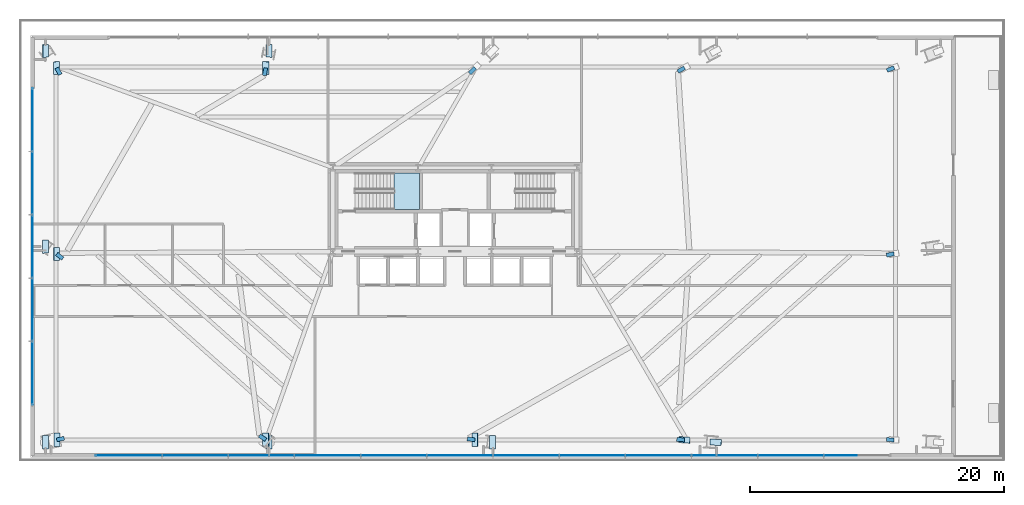
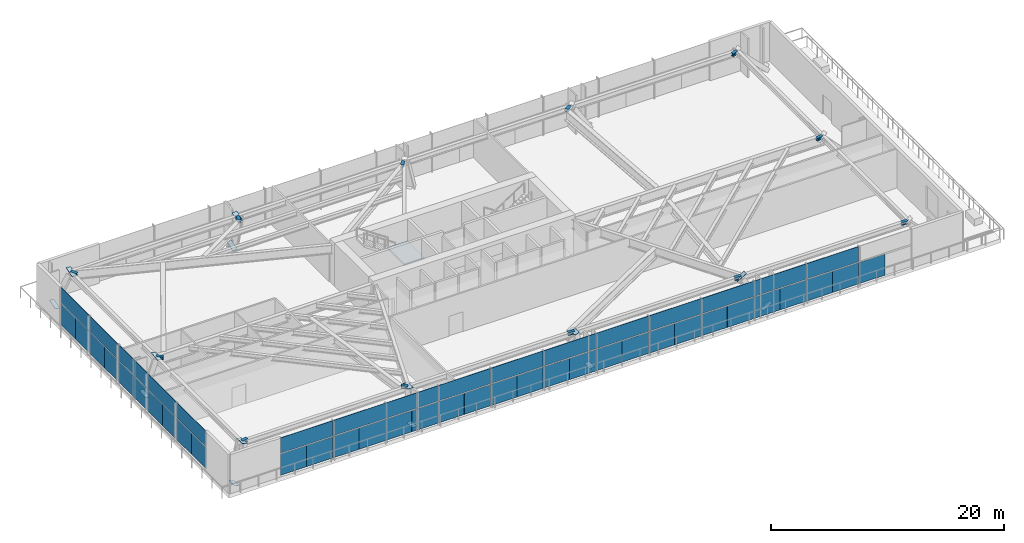
# One storey, part 22 of 33: 63 plates, 12 beams, 1 slab, 3 elements without a shape of their own.
"""IFC4 building model written with IfcOpenShell, lengths in metres."""

from ifc_helpers import new_model, si_unit, direction, frame, origin, origin_2d, place, context, subcontext, project, spatial, polyline, rectangle, i_section, outline, extrude, source, transform, mapped, material, layer, layer_set, material_profile, profile_set, type_object, type_shapes, element, aggregate, save


model = new_model("IFC4")

# Units and contexts
model_context = context("Model", 3, precision=1e-05, world=origin(), true_north=direction((0.0, 1.0)))
body_context = subcontext(model_context, "Body", "Model", "MODEL_VIEW")
ifc_project = project(units=[si_unit("LENGTHUNIT", "METRE"), si_unit("AREAUNIT", "SQUARE_METRE"), si_unit("VOLUMEUNIT", "CUBIC_METRE"), si_unit("PLANEANGLEUNIT", "RADIAN"), si_unit("MASSUNIT", "GRAM", prefix="KILO")], contexts=[model_context])

# Site, building, storey
site_placement = place(None, origin())
site = spatial("IfcSite", under=ifc_project, at=site_placement, CompositionType="ELEMENT")
building_placement = place(site_placement, origin())
building = spatial("IfcBuilding", under=site, at=building_placement, Name="Astriad Promenade Condominiums", CompositionType="ELEMENT")
storey_placement = place(building_placement, frame((0.0, 0.0, 9.5)))
storey = spatial("IfcBuildingStorey", under=building, at=storey_placement, Name="L02", CompositionType="ELEMENT", Elevation=9.5)

# Beams
ifc_material_1 = material(Name="Steel ASTM A992 Grade 50", Category="steel")
ifc_material_profile = material_profile(ifc_material_1, i_section(OverallWidth=0.3046875, OverallDepth=0.307861328125, WebThickness=0.010009765625, FlangeThickness=0.015380859375, FilletRadius=0.01513671875, at=origin_2d()), Name="W12X65")
ifc_profile_set = profile_set([ifc_material_profile], Name="Steel ASTM A992 Grade 50")
beam_type = type_object("IfcBeamType", Name="STEEL TRANSFER SPLICE HEADER W12X65", PredefinedType="LINTEL", material=ifc_profile_set)
shared_shape_1 = source(origin(), body_context, "Body", "SweptSolid", [
    extrude(i_section(OverallWidth=0.3046875, OverallDepth=0.307861328125, WebThickness=0.010009765625, FlangeThickness=0.015380859375, FilletRadius=0.01513671875, at=origin_2d()), origin(), (0.0, 0.0, 1.0), 0.6015625),
])
for number, where, z_axis, x_axis, name in (
    (1, (4.666748046875, 2.576904296875, 3.926025390625), (0.975407231569, 0.220410373176, 0.0), (-0.220410373176, 0.975407231569, 0.0), "Column Transfer Splice Header SPL-PC01-L02"),
    (2, (21.116943359375, 2.57861328125, 3.926025390625), (-0.829229622799, 0.558908071755, 0.0), (-0.558908071755, -0.829229622799, 0.0), "Column Transfer Splice Header SPL-PC02-L02"),
    (3, (37.58056640625, 2.57568359375, 3.926025390625), (-0.991319801898, 0.13147262211, 0.0), (-0.13147262211, -0.991319801898, 0.0), "Column Transfer Splice Header SPL-PC03-L02"),
    (4, (4.6591796875, 31.8525390625, 3.926025390625), (0.487020687899, -0.873390433631, 0.0), (0.873390433631, 0.487020687899, 0.0), "Column Transfer Splice Header SPL-PC06-L02"),
    (5, (37.588623046875, 31.857421875, 3.926025390625), (-0.682549549065, -0.730839320967, 0.0), (0.730839320967, -0.682549549065, 0.0), "Column Transfer Splice Header SPL-PC08-L02"),
    (6, (54.07568359375, 31.868408203125, 3.926025390625), (-0.8595985228, -0.510970037869, 0.0), (0.510970037869, -0.8595985228, 0.0), "Column Transfer Splice Header SPL-PC09-L02"),
    (7, (70.57470703125, 31.876953125, 3.926025390625), (-0.92502236555, -0.379912652108, 0.0), (0.379912652108, -0.92502236555, 0.0), "Column Transfer Splice Header SPL-PC10-L02"),
    (8, (4.6650390625, 17.2099609375, 3.926025390625), (0.787359384968, -0.616494281323, 0.0), (0.616494281323, 0.787359384968, 0.0), "Column Transfer Splice Header SPL-PC11-L02"),
):
    element("IfcBeam", number, at=place(storey_placement, frame(where, z_axis=z_axis, x_axis=x_axis)), inside=storey, type_object=beam_type, Name=name, PredefinedType="LINTEL", context=body_context, shape_type="MappedRepresentation", body=[
        mapped(shared_shape_1, transform((0.0, 0.0, 0.0), scale=1.0)),
    ])
shared_shape_2 = source(origin(), body_context, "Body", "SweptSolid", [
    extrude(i_section(OverallWidth=0.3046875, OverallDepth=0.307861328125, WebThickness=0.010009765625, FlangeThickness=0.015380859375, FilletRadius=0.01513671875, at=origin_2d()), origin(), (0.0, 0.0, 1.0), 0.601806640625),
])
beam_placement = place(storey_placement, frame((54.069091796875, 2.573486328125, 3.926025390625), z_axis=(-0.997269968056, 0.073841795845, 0.0), x_axis=(-0.073841795845, -0.997269968056, 0.0)))
element("IfcBeam", 9, at=beam_placement, inside=storey, type_object=beam_type, Name="Column Transfer Splice Header SPL-PC04-L02", PredefinedType="LINTEL", context=body_context, shape_type="MappedRepresentation", body=[
    mapped(shared_shape_2, transform((0.0, 0.0, 0.0), scale=1.0)),
])
shared_shape_3 = source(origin(), body_context, "Body", "SweptSolid", [
    extrude(i_section(OverallWidth=0.3046875, OverallDepth=0.307861328125, WebThickness=0.010009765625, FlangeThickness=0.015380859375, FilletRadius=0.01513671875, at=origin_2d()), origin(), (0.0, 0.0, 1.0), 0.601318359375),
])
type_shapes(beam_type, [shared_shape_1, shared_shape_2, shared_shape_3])
for number, where, z_axis, x_axis, name in (
    (10, (70.570068359375, 2.572021484375, 3.926025390625), (-0.998690856067, 0.051152458481, 0.0), (-0.051152458481, -0.998690856067, 0.0), "Column Transfer Splice Header SPL-PC05-L02"),
    (11, (21.12060546875, 31.848876953125, 3.926025390625), (-0.183920818406, -0.982941062606, 0.0), (0.982941062606, -0.183920818406, 0.0), "Column Transfer Splice Header SPL-PC07-L02"),
    (12, (70.57080078125, 17.223876953125, 3.926025390625), (-0.984135153245, -0.177420405102, 0.0), (0.177420405102, -0.984135153245, 0.0), "Column Transfer Splice Header SPL-PC12-L02"),
):
    element("IfcBeam", number, at=place(storey_placement, frame(where, z_axis=z_axis, x_axis=x_axis)), inside=storey, type_object=beam_type, Name=name, PredefinedType="LINTEL", context=body_context, shape_type="MappedRepresentation", body=[
        mapped(shared_shape_3, transform((0.0, 0.0, 0.0), scale=1.0)),
    ])

# Stair, slab
ifc_material_2 = material(Name="Concrete C50/60", Category="concrete")
stair_type = type_object("IfcStairType", Name="STR-CORE-1350", PredefinedType="HALF_TURN_STAIR", material=ifc_material_2)
stair_placement = place(storey_placement, origin())
stair = element("IfcStair", 13, at=stair_placement, inside=storey, type_object=stair_type, Name="L02 Enclosed Core Exit Stair ST-1", PredefinedType="HALF_TURN_STAIR")
ifc_layer_1 = layer(ifc_material_2, 0.219970703125)
ifc_layer_set_1 = layer_set([ifc_layer_1], Name="Concrete C50/60")
slab_type = type_object("IfcSlabType", Name="SLB-LANDING-220", PredefinedType="LANDING", material=ifc_layer_set_1)
slab_placement = place(storey_placement, frame((0.0, 0.0, 2.050048828125)))
slab = element("IfcSlab", 14, at=slab_placement, type_object=slab_type, Name="ST-1 landing 1", PredefinedType="LANDING", context=body_context, shape_type="SweptSolid", body=[
    extrude(outline(polyline([(31.22998046875, 20.699951171875), (33.199951171875, 20.699951171875), (33.199951171875, 23.60009765625), (31.22998046875, 23.60009765625), (31.22998046875, 20.699951171875)])), origin(), (0.0, 0.0, 1.0), 0.199951171875),
])
aggregate(stair, [slab])

# Plates
ifc_material_3 = material(Name="Steel ASTM A572 Grade 50", Category="steel")
ifc_layer_2 = layer(ifc_material_3, 0.02490234375)
ifc_layer_set_2 = layer_set([ifc_layer_2], Name="Steel ASTM A572 Grade 50")
plate_type_1 = type_object("IfcPlateType", Name="STEEL HOLLOW SECTION END CAP PLATE 30", PredefinedType="USERDEFINED", material=ifc_layer_set_2)
shared_shape_4 = source(origin(), body_context, "Body", "SweptSolid", [
    extrude(rectangle(XDim=0.477294921875, YDim=1.05126953125, at=origin_2d()), origin(), (0.0, 0.0, 1.0), 0.02490234375),
])
type_shapes(plate_type_1, [shared_shape_4])
for number, where, z_axis, x_axis, name in (
    (15, (3.787841796875, 2.3818359375, 0.035888671875), (0.215153855979, 0.047790070995, 0.975410132904), (1.0, 0.0, 0.0), "Hollow Section End Cap Plate COL-PC01-L02-A"),
    (16, (4.666748046875, 2.5771484375, 4.019775390625), (0.215153855979, 0.047790070995, 0.975410132904), (1.0, 0.0, 0.0), "Hollow Section End Cap Plate COL-PC01-L02-B"),
    (17, (21.3896484375, 2.38037109375, 0.005126953125), (-0.067186661976, 0.048840488982, 0.996544308643), (1.0, 0.0, 0.0), "Hollow Section End Cap Plate COL-PC02-L02-A"),
    (18, (21.116943359375, 2.57861328125, 4.0498046875), (-0.067186661976, 0.048840488982, 0.996544308643), (1.0, 0.0, 0.0), "Hollow Section End Cap Plate COL-PC02-L02-B"),
    (19, (38.977783203125, 2.383056640625, 0.062255859375), (-0.334513142045, 0.046143066006, 0.941260737128), (1.0, 0.0, 0.0), "Hollow Section End Cap Plate COL-PC03-L02-A"),
    (20, (37.58056640625, 2.575927734375, 3.994384765625), (-0.334513142045, 0.046143066006, 0.941260737128), (1.0, 0.0, 0.0), "Hollow Section End Cap Plate COL-PC03-L02-B"),
    (21, (56.53955078125, 2.385498046875, 0.109619140625), (-0.540618905809, 0.041190011985, 0.840258639703), (-0.075970292138, -0.997110081542, 0.0), "Hollow Section End Cap Plate COL-PC04-L02-A"),
    (22, (54.069091796875, 2.57373046875, 3.949462890625), (-0.540618905809, 0.041190011985, 0.840258639703), (-0.075970292138, -0.997110081542, 0.0), "Hollow Section End Cap Plate COL-PC04-L02-B"),
    (23, (3.7958984375, 33.1953125, 0.071533203125), (0.204234615999, -0.317703578998, 0.925933397994), (1.0, 0.0, 0.0), "Hollow Section End Cap Plate COL-PC06-L02-A"),
    (24, (4.6591796875, 31.852294921875, 3.985595703125), (0.204234615999, -0.317703578998, 0.925933397994), (1.0, 0.0, 0.0), "Hollow Section End Cap Plate COL-PC06-L02-B"),
    (25, (21.3857421875, 33.19921875, 0.060791015625), (-0.063612142029, -0.323900671146, 0.943950131425), (1.0, 0.0, 0.0), "Hollow Section End Cap Plate COL-PC07-L02-A"),
    (26, (21.12060546875, 31.84912109375, 3.995849609375), (-0.063612142029, -0.323900671146, 0.943950131425), (1.0, 0.0, 0.0), "Hollow Section End Cap Plate COL-PC07-L02-B"),
    (27, (3.78955078125, 17.79345703125, 0.0439453125), (0.213222255045, -0.14214817003, 0.966607556204), (1.0, 0.0, 0.0), "Hollow Section End Cap Plate COL-PC11-L02-A"),
    (28, (4.6650390625, 17.2099609375, 4.01220703125), (0.213222255045, -0.14214817003, 0.966607556204), (1.0, 0.0, 0.0), "Hollow Section End Cap Plate COL-PC11-L02-B"),
):
    element("IfcPlate", number, at=place(storey_placement, frame(where, z_axis=z_axis, x_axis=x_axis)), inside=storey, type_object=plate_type_1, Name=name, ObjectType="STIFFENER_PLATE", PredefinedType="USERDEFINED", context=body_context, shape_type="MappedRepresentation", body=[
        mapped(shared_shape_4, transform((0.0, 0.0, 0.0), scale=1.0)),
    ])

# Curtain wall, plates
ifc_material_4 = material(Name="Anodised aluminium Black Dark Glass Unitised", Category="aluminium")
curtain_wall_type = type_object("IfcCurtainWallType", Name="CW-POD-DARK", PredefinedType="USERDEFINED", material=ifc_material_4)
curtain_wall_1_placement = place(storey_placement, origin())
curtain_wall_1 = element("IfcCurtainWall", 29, at=curtain_wall_1_placement, inside=storey, type_object=curtain_wall_type, Name="CW-L02-W", ObjectType="UNITISED_CURTAIN_WALL", PredefinedType="USERDEFINED")
ifc_material_5 = material(Name="Dark Tinted Low-E Laminated Glass", Category="glass")
ifc_layer_3 = layer(ifc_material_5, 0.035888671875)
ifc_layer_set_3 = layer_set([ifc_layer_3], Name="Dark Tinted Low-E Laminated Glass")
plate_type_2 = type_object("IfcPlateType", Name="PNL-DARK-GLASS-36", PredefinedType="CURTAIN_PANEL", material=ifc_layer_set_3)
shared_shape_5 = source(origin(), body_context, "Body", "SweptSolid", [
    extrude(rectangle(XDim=2.47802734375, YDim=0.035888671875, at=origin_2d()), origin(), (0.0, 0.0, 1.0), 2.22998046875),
])
plate_1_placement = place(storey_placement, frame((2.75, 6.594970703125, 0.080078125), z_axis=(0.0, 0.0, 1.0), x_axis=(0.0, 1.0, 0.0)))
plate_1 = element("IfcPlate", 30, at=plate_1_placement, type_object=plate_type_2, Name="CW-L02-W-PNL-00-VL", PredefinedType="CURTAIN_PANEL", context=body_context, shape_type="MappedRepresentation", body=[
    mapped(shared_shape_5, transform((0.0, 0.0, 0.0), scale=1.0)),
])
plate_2_placement = place(storey_placement, frame((2.75, 9.0849609375, 0.080078125), z_axis=(0.0, 0.0, 1.0), x_axis=(0.0, 1.0, 0.0)))
plate_2 = element("IfcPlate", 31, at=plate_2_placement, type_object=plate_type_2, Name="CW-L02-W-PNL-00-VR", PredefinedType="CURTAIN_PANEL", context=body_context, shape_type="MappedRepresentation", body=[
    mapped(shared_shape_5, transform((0.0, 0.0, 0.0), scale=1.0)),
])
plate_3_placement = place(storey_placement, frame((2.75, 11.574951171875, 0.080078125), z_axis=(0.0, 0.0, 1.0), x_axis=(0.0, 1.0, 0.0)))
plate_3 = element("IfcPlate", 32, at=plate_3_placement, type_object=plate_type_2, Name="CW-L02-W-PNL-01-VL", PredefinedType="CURTAIN_PANEL", context=body_context, shape_type="MappedRepresentation", body=[
    mapped(shared_shape_5, transform((0.0, 0.0, 0.0), scale=1.0)),
])
plate_4_placement = place(storey_placement, frame((2.75, 14.06494140625, 0.080078125), z_axis=(0.0, 0.0, 1.0), x_axis=(0.0, 1.0, 0.0)))
plate_4 = element("IfcPlate", 33, at=plate_4_placement, type_object=plate_type_2, Name="CW-L02-W-PNL-01-VR", PredefinedType="CURTAIN_PANEL", context=body_context, shape_type="MappedRepresentation", body=[
    mapped(shared_shape_5, transform((0.0, 0.0, 0.0), scale=1.0)),
])
plate_5_placement = place(storey_placement, frame((2.75, 16.554931640625, 0.080078125), z_axis=(0.0, 0.0, 1.0), x_axis=(0.0, 1.0, 0.0)))
plate_5 = element("IfcPlate", 34, at=plate_5_placement, type_object=plate_type_2, Name="CW-L02-W-PNL-02-VL", PredefinedType="CURTAIN_PANEL", context=body_context, shape_type="MappedRepresentation", body=[
    mapped(shared_shape_5, transform((0.0, 0.0, 0.0), scale=1.0)),
])
plate_6_placement = place(storey_placement, frame((2.75, 19.044921875, 0.080078125), z_axis=(0.0, 0.0, 1.0), x_axis=(0.0, 1.0, 0.0)))
plate_6 = element("IfcPlate", 35, at=plate_6_placement, type_object=plate_type_2, Name="CW-L02-W-PNL-02-VR", PredefinedType="CURTAIN_PANEL", context=body_context, shape_type="MappedRepresentation", body=[
    mapped(shared_shape_5, transform((0.0, 0.0, 0.0), scale=1.0)),
])
plate_7_placement = place(storey_placement, frame((2.75, 21.534912109375, 0.080078125), z_axis=(0.0, 0.0, 1.0), x_axis=(0.0, 1.0, 0.0)))
plate_7 = element("IfcPlate", 36, at=plate_7_placement, type_object=plate_type_2, Name="CW-L02-W-PNL-03-VL", PredefinedType="CURTAIN_PANEL", context=body_context, shape_type="MappedRepresentation", body=[
    mapped(shared_shape_5, transform((0.0, 0.0, 0.0), scale=1.0)),
])
plate_8_placement = place(storey_placement, frame((2.75, 24.02490234375, 0.080078125), z_axis=(0.0, 0.0, 1.0), x_axis=(0.0, 1.0, 0.0)))
plate_8 = element("IfcPlate", 37, at=plate_8_placement, type_object=plate_type_2, Name="CW-L02-W-PNL-03-VR", PredefinedType="CURTAIN_PANEL", context=body_context, shape_type="MappedRepresentation", body=[
    mapped(shared_shape_5, transform((0.0, 0.0, 0.0), scale=1.0)),
])
plate_9_placement = place(storey_placement, frame((2.75, 26.514892578125, 0.080078125), z_axis=(0.0, 0.0, 1.0), x_axis=(0.0, 1.0, 0.0)))
plate_9 = element("IfcPlate", 38, at=plate_9_placement, type_object=plate_type_2, Name="CW-L02-W-PNL-04-VL", PredefinedType="CURTAIN_PANEL", context=body_context, shape_type="MappedRepresentation", body=[
    mapped(shared_shape_5, transform((0.0, 0.0, 0.0), scale=1.0)),
])
plate_10_placement = place(storey_placement, frame((2.75, 29.0048828125, 0.080078125), z_axis=(0.0, 0.0, 1.0), x_axis=(0.0, 1.0, 0.0)))
plate_10 = element("IfcPlate", 39, at=plate_10_placement, type_object=plate_type_2, Name="CW-L02-W-PNL-04-VR", PredefinedType="CURTAIN_PANEL", context=body_context, shape_type="MappedRepresentation", body=[
    mapped(shared_shape_5, transform((0.0, 0.0, 0.0), scale=1.0)),
])
shared_shape_6 = source(origin(), body_context, "Body", "SweptSolid", [
    extrude(rectangle(XDim=4.968017578125, YDim=0.035888671875, at=origin_2d()), origin(), (0.0, 0.0, 1.0), 1.610107421875),
])
plate_11_placement = place(storey_placement, frame((2.75, 7.840087890625, 2.39013671875), z_axis=(0.0, 0.0, 1.0), x_axis=(0.0, 1.0, 0.0)))
plate_11 = element("IfcPlate", 40, at=plate_11_placement, type_object=plate_type_2, Name="CW-L02-W-PNL-00-S", PredefinedType="CURTAIN_PANEL", context=body_context, shape_type="MappedRepresentation", body=[
    mapped(shared_shape_6, transform((0.0, 0.0, 0.0), scale=1.0)),
])
plate_12_placement = place(storey_placement, frame((2.75, 12.820068359375, 2.39013671875), z_axis=(0.0, 0.0, 1.0), x_axis=(0.0, 1.0, 0.0)))
plate_12 = element("IfcPlate", 41, at=plate_12_placement, type_object=plate_type_2, Name="CW-L02-W-PNL-01-S", PredefinedType="CURTAIN_PANEL", context=body_context, shape_type="MappedRepresentation", body=[
    mapped(shared_shape_6, transform((0.0, 0.0, 0.0), scale=1.0)),
])
plate_13_placement = place(storey_placement, frame((2.75, 17.800048828125, 2.39013671875), z_axis=(0.0, 0.0, 1.0), x_axis=(0.0, 1.0, 0.0)))
plate_13 = element("IfcPlate", 42, at=plate_13_placement, type_object=plate_type_2, Name="CW-L02-W-PNL-02-S", PredefinedType="CURTAIN_PANEL", context=body_context, shape_type="MappedRepresentation", body=[
    mapped(shared_shape_6, transform((0.0, 0.0, 0.0), scale=1.0)),
])
plate_14_placement = place(storey_placement, frame((2.75, 22.780029296875, 2.39013671875), z_axis=(0.0, 0.0, 1.0), x_axis=(0.0, 1.0, 0.0)))
plate_14 = element("IfcPlate", 43, at=plate_14_placement, type_object=plate_type_2, Name="CW-L02-W-PNL-03-S", PredefinedType="CURTAIN_PANEL", context=body_context, shape_type="MappedRepresentation", body=[
    mapped(shared_shape_6, transform((0.0, 0.0, 0.0), scale=1.0)),
])
plate_15_placement = place(storey_placement, frame((2.75, 27.760009765625, 2.39013671875), z_axis=(0.0, 0.0, 1.0), x_axis=(0.0, 1.0, 0.0)))
plate_15 = element("IfcPlate", 44, at=plate_15_placement, type_object=plate_type_2, Name="CW-L02-W-PNL-04-S", PredefinedType="CURTAIN_PANEL", context=body_context, shape_type="MappedRepresentation", body=[
    mapped(shared_shape_6, transform((0.0, 0.0, 0.0), scale=1.0)),
])
aggregate(curtain_wall_1, [plate_1, plate_2, plate_11, plate_3, plate_4, plate_12, plate_5, plate_6, plate_13, plate_7, plate_8, plate_14, plate_9, plate_10, plate_15])

curtain_wall_2_placement = place(storey_placement, origin())
curtain_wall_2 = element("IfcCurtainWall", 45, at=curtain_wall_2_placement, inside=storey, type_object=curtain_wall_type, Name="CW-L02-S", ObjectType="UNITISED_CURTAIN_WALL", PredefinedType="USERDEFINED")
shared_shape_7 = source(origin(), body_context, "Body", "SweptSolid", [
    extrude(rectangle(XDim=2.59228515625, YDim=0.035888671875, at=origin_2d()), origin(), (0.0, 0.0, 1.0), 2.22998046875),
])
plate_16_placement = place(storey_placement, frame((66.34375, 1.35009765625, 0.080078125), z_axis=(0.0, 0.0, 1.0), x_axis=(-1.0, 0.0, 0.0)))
plate_16 = element("IfcPlate", 46, at=plate_16_placement, type_object=plate_type_2, Name="CW-L02-S-PNL-00-VR", PredefinedType="CURTAIN_PANEL", context=body_context, shape_type="MappedRepresentation", body=[
    mapped(shared_shape_7, transform((0.0, 0.0, 0.0), scale=1.0)),
])
plate_17_placement = place(storey_placement, frame((63.739501953125, 1.35009765625, 0.080078125), z_axis=(0.0, 0.0, 1.0), x_axis=(-1.0, 0.0, 0.0)))
plate_17 = element("IfcPlate", 47, at=plate_17_placement, type_object=plate_type_2, Name="CW-L02-S-PNL-01-VL", PredefinedType="CURTAIN_PANEL", context=body_context, shape_type="MappedRepresentation", body=[
    mapped(shared_shape_7, transform((0.0, 0.0, 0.0), scale=1.0)),
])
plate_18_placement = place(storey_placement, frame((61.135498046875, 1.35009765625, 0.080078125), z_axis=(0.0, 0.0, 1.0), x_axis=(-1.0, 0.0, 0.0)))
plate_18 = element("IfcPlate", 48, at=plate_18_placement, type_object=plate_type_2, Name="CW-L02-S-PNL-01-VR", PredefinedType="CURTAIN_PANEL", context=body_context, shape_type="MappedRepresentation", body=[
    mapped(shared_shape_7, transform((0.0, 0.0, 0.0), scale=1.0)),
])
plate_19_placement = place(storey_placement, frame((58.53125, 1.35009765625, 0.080078125), z_axis=(0.0, 0.0, 1.0), x_axis=(-1.0, 0.0, 0.0)))
plate_19 = element("IfcPlate", 49, at=plate_19_placement, type_object=plate_type_2, Name="CW-L02-S-PNL-02-VL", PredefinedType="CURTAIN_PANEL", context=body_context, shape_type="MappedRepresentation", body=[
    mapped(shared_shape_7, transform((0.0, 0.0, 0.0), scale=1.0)),
])
plate_20_placement = place(storey_placement, frame((55.927001953125, 1.35009765625, 0.080078125), z_axis=(0.0, 0.0, 1.0), x_axis=(-1.0, 0.0, 0.0)))
plate_20 = element("IfcPlate", 50, at=plate_20_placement, type_object=plate_type_2, Name="CW-L02-S-PNL-02-VR", PredefinedType="CURTAIN_PANEL", context=body_context, shape_type="MappedRepresentation", body=[
    mapped(shared_shape_7, transform((0.0, 0.0, 0.0), scale=1.0)),
])
plate_21_placement = place(storey_placement, frame((53.322998046875, 1.35009765625, 0.080078125), z_axis=(0.0, 0.0, 1.0), x_axis=(-1.0, 0.0, 0.0)))
plate_21 = element("IfcPlate", 51, at=plate_21_placement, type_object=plate_type_2, Name="CW-L02-S-PNL-03-VL", PredefinedType="CURTAIN_PANEL", context=body_context, shape_type="MappedRepresentation", body=[
    mapped(shared_shape_7, transform((0.0, 0.0, 0.0), scale=1.0)),
])
plate_22_placement = place(storey_placement, frame((50.71875, 1.35009765625, 0.080078125), z_axis=(0.0, 0.0, 1.0), x_axis=(-1.0, 0.0, 0.0)))
plate_22 = element("IfcPlate", 52, at=plate_22_placement, type_object=plate_type_2, Name="CW-L02-S-PNL-03-VR", PredefinedType="CURTAIN_PANEL", context=body_context, shape_type="MappedRepresentation", body=[
    mapped(shared_shape_7, transform((0.0, 0.0, 0.0), scale=1.0)),
])
plate_23_placement = place(storey_placement, frame((48.114501953125, 1.35009765625, 0.080078125), z_axis=(0.0, 0.0, 1.0), x_axis=(-1.0, 0.0, 0.0)))
plate_23 = element("IfcPlate", 53, at=plate_23_placement, type_object=plate_type_2, Name="CW-L02-S-PNL-04-VL", PredefinedType="CURTAIN_PANEL", context=body_context, shape_type="MappedRepresentation", body=[
    mapped(shared_shape_7, transform((0.0, 0.0, 0.0), scale=1.0)),
])
plate_24_placement = place(storey_placement, frame((45.510498046875, 1.35009765625, 0.080078125), z_axis=(0.0, 0.0, 1.0), x_axis=(-1.0, 0.0, 0.0)))
plate_24 = element("IfcPlate", 54, at=plate_24_placement, type_object=plate_type_2, Name="CW-L02-S-PNL-04-VR", PredefinedType="CURTAIN_PANEL", context=body_context, shape_type="MappedRepresentation", body=[
    mapped(shared_shape_7, transform((0.0, 0.0, 0.0), scale=1.0)),
])
plate_25_placement = place(storey_placement, frame((42.90625, 1.35009765625, 0.080078125), z_axis=(0.0, 0.0, 1.0), x_axis=(-1.0, 0.0, 0.0)))
plate_25 = element("IfcPlate", 55, at=plate_25_placement, type_object=plate_type_2, Name="CW-L02-S-PNL-05-VL", PredefinedType="CURTAIN_PANEL", context=body_context, shape_type="MappedRepresentation", body=[
    mapped(shared_shape_7, transform((0.0, 0.0, 0.0), scale=1.0)),
])
plate_26_placement = place(storey_placement, frame((40.302001953125, 1.35009765625, 0.080078125), z_axis=(0.0, 0.0, 1.0), x_axis=(-1.0, 0.0, 0.0)))
plate_26 = element("IfcPlate", 56, at=plate_26_placement, type_object=plate_type_2, Name="CW-L02-S-PNL-05-VR", PredefinedType="CURTAIN_PANEL", context=body_context, shape_type="MappedRepresentation", body=[
    mapped(shared_shape_7, transform((0.0, 0.0, 0.0), scale=1.0)),
])
plate_27_placement = place(storey_placement, frame((37.697998046875, 1.35009765625, 0.080078125), z_axis=(0.0, 0.0, 1.0), x_axis=(-1.0, 0.0, 0.0)))
plate_27 = element("IfcPlate", 57, at=plate_27_placement, type_object=plate_type_2, Name="CW-L02-S-PNL-06-VL", PredefinedType="CURTAIN_PANEL", context=body_context, shape_type="MappedRepresentation", body=[
    mapped(shared_shape_7, transform((0.0, 0.0, 0.0), scale=1.0)),
])
plate_28_placement = place(storey_placement, frame((35.09375, 1.35009765625, 0.080078125), z_axis=(0.0, 0.0, 1.0), x_axis=(-1.0, 0.0, 0.0)))
plate_28 = element("IfcPlate", 58, at=plate_28_placement, type_object=plate_type_2, Name="CW-L02-S-PNL-06-VR", PredefinedType="CURTAIN_PANEL", context=body_context, shape_type="MappedRepresentation", body=[
    mapped(shared_shape_7, transform((0.0, 0.0, 0.0), scale=1.0)),
])
plate_29_placement = place(storey_placement, frame((32.489501953125, 1.35009765625, 0.080078125), z_axis=(0.0, 0.0, 1.0), x_axis=(-1.0, 0.0, 0.0)))
plate_29 = element("IfcPlate", 59, at=plate_29_placement, type_object=plate_type_2, Name="CW-L02-S-PNL-07-VL", PredefinedType="CURTAIN_PANEL", context=body_context, shape_type="MappedRepresentation", body=[
    mapped(shared_shape_7, transform((0.0, 0.0, 0.0), scale=1.0)),
])
plate_30_placement = place(storey_placement, frame((29.885498046875, 1.35009765625, 0.080078125), z_axis=(0.0, 0.0, 1.0), x_axis=(-1.0, 0.0, 0.0)))
plate_30 = element("IfcPlate", 60, at=plate_30_placement, type_object=plate_type_2, Name="CW-L02-S-PNL-07-VR", PredefinedType="CURTAIN_PANEL", context=body_context, shape_type="MappedRepresentation", body=[
    mapped(shared_shape_7, transform((0.0, 0.0, 0.0), scale=1.0)),
])
plate_31_placement = place(storey_placement, frame((27.28125, 1.35009765625, 0.080078125), z_axis=(0.0, 0.0, 1.0), x_axis=(-1.0, 0.0, 0.0)))
plate_31 = element("IfcPlate", 61, at=plate_31_placement, type_object=plate_type_2, Name="CW-L02-S-PNL-08-VL", PredefinedType="CURTAIN_PANEL", context=body_context, shape_type="MappedRepresentation", body=[
    mapped(shared_shape_7, transform((0.0, 0.0, 0.0), scale=1.0)),
])
plate_32_placement = place(storey_placement, frame((24.677001953125, 1.35009765625, 0.080078125), z_axis=(0.0, 0.0, 1.0), x_axis=(-1.0, 0.0, 0.0)))
plate_32 = element("IfcPlate", 62, at=plate_32_placement, type_object=plate_type_2, Name="CW-L02-S-PNL-08-VR", PredefinedType="CURTAIN_PANEL", context=body_context, shape_type="MappedRepresentation", body=[
    mapped(shared_shape_7, transform((0.0, 0.0, 0.0), scale=1.0)),
])
plate_33_placement = place(storey_placement, frame((22.072998046875, 1.35009765625, 0.080078125), z_axis=(0.0, 0.0, 1.0), x_axis=(-1.0, 0.0, 0.0)))
plate_33 = element("IfcPlate", 63, at=plate_33_placement, type_object=plate_type_2, Name="CW-L02-S-PNL-09-VL", PredefinedType="CURTAIN_PANEL", context=body_context, shape_type="MappedRepresentation", body=[
    mapped(shared_shape_7, transform((0.0, 0.0, 0.0), scale=1.0)),
])
plate_34_placement = place(storey_placement, frame((19.46875, 1.35009765625, 0.080078125), z_axis=(0.0, 0.0, 1.0), x_axis=(-1.0, 0.0, 0.0)))
plate_34 = element("IfcPlate", 64, at=plate_34_placement, type_object=plate_type_2, Name="CW-L02-S-PNL-09-VR", PredefinedType="CURTAIN_PANEL", context=body_context, shape_type="MappedRepresentation", body=[
    mapped(shared_shape_7, transform((0.0, 0.0, 0.0), scale=1.0)),
])
plate_35_placement = place(storey_placement, frame((16.864501953125, 1.35009765625, 0.080078125), z_axis=(0.0, 0.0, 1.0), x_axis=(-1.0, 0.0, 0.0)))
plate_35 = element("IfcPlate", 65, at=plate_35_placement, type_object=plate_type_2, Name="CW-L02-S-PNL-10-VL", PredefinedType="CURTAIN_PANEL", context=body_context, shape_type="MappedRepresentation", body=[
    mapped(shared_shape_7, transform((0.0, 0.0, 0.0), scale=1.0)),
])
plate_36_placement = place(storey_placement, frame((14.260498046875, 1.35009765625, 0.080078125), z_axis=(0.0, 0.0, 1.0), x_axis=(-1.0, 0.0, 0.0)))
plate_36 = element("IfcPlate", 66, at=plate_36_placement, type_object=plate_type_2, Name="CW-L02-S-PNL-10-VR", PredefinedType="CURTAIN_PANEL", context=body_context, shape_type="MappedRepresentation", body=[
    mapped(shared_shape_7, transform((0.0, 0.0, 0.0), scale=1.0)),
])
plate_37_placement = place(storey_placement, frame((11.65625, 1.35009765625, 0.080078125), z_axis=(0.0, 0.0, 1.0), x_axis=(-1.0, 0.0, 0.0)))
plate_37 = element("IfcPlate", 67, at=plate_37_placement, type_object=plate_type_2, Name="CW-L02-S-PNL-11-VL", PredefinedType="CURTAIN_PANEL", context=body_context, shape_type="MappedRepresentation", body=[
    mapped(shared_shape_7, transform((0.0, 0.0, 0.0), scale=1.0)),
])
plate_38_placement = place(storey_placement, frame((9.052001953125, 1.35009765625, 0.080078125), z_axis=(0.0, 0.0, 1.0), x_axis=(-1.0, 0.0, 0.0)))
plate_38 = element("IfcPlate", 68, at=plate_38_placement, type_object=plate_type_2, Name="CW-L02-S-PNL-11-VR", PredefinedType="CURTAIN_PANEL", context=body_context, shape_type="MappedRepresentation", body=[
    mapped(shared_shape_7, transform((0.0, 0.0, 0.0), scale=1.0)),
])
shared_shape_8 = source(origin(), body_context, "Body", "SweptSolid", [
    extrude(rectangle(XDim=5.1962890625, YDim=0.035888671875, at=origin_2d()), origin(), (0.0, 0.0, 1.0), 1.610107421875),
])
type_shapes(plate_type_2, [shared_shape_5, shared_shape_6, shared_shape_7, shared_shape_8])
plate_39_placement = place(storey_placement, frame((62.4375, 1.35009765625, 2.39013671875), z_axis=(0.0, 0.0, 1.0), x_axis=(-1.0, 0.0, 0.0)))
plate_39 = element("IfcPlate", 69, at=plate_39_placement, type_object=plate_type_2, Name="CW-L02-S-PNL-01-S", PredefinedType="CURTAIN_PANEL", context=body_context, shape_type="MappedRepresentation", body=[
    mapped(shared_shape_8, transform((0.0, 0.0, 0.0), scale=1.0)),
])
plate_40_placement = place(storey_placement, frame((57.229248046875, 1.35009765625, 2.39013671875), z_axis=(0.0, 0.0, 1.0), x_axis=(-1.0, 0.0, 0.0)))
plate_40 = element("IfcPlate", 70, at=plate_40_placement, type_object=plate_type_2, Name="CW-L02-S-PNL-02-S", PredefinedType="CURTAIN_PANEL", context=body_context, shape_type="MappedRepresentation", body=[
    mapped(shared_shape_8, transform((0.0, 0.0, 0.0), scale=1.0)),
])
plate_41_placement = place(storey_placement, frame((52.020751953125, 1.35009765625, 2.39013671875), z_axis=(0.0, 0.0, 1.0), x_axis=(-1.0, 0.0, 0.0)))
plate_41 = element("IfcPlate", 71, at=plate_41_placement, type_object=plate_type_2, Name="CW-L02-S-PNL-03-S", PredefinedType="CURTAIN_PANEL", context=body_context, shape_type="MappedRepresentation", body=[
    mapped(shared_shape_8, transform((0.0, 0.0, 0.0), scale=1.0)),
])
plate_42_placement = place(storey_placement, frame((46.8125, 1.35009765625, 2.39013671875), z_axis=(0.0, 0.0, 1.0), x_axis=(-1.0, 0.0, 0.0)))
plate_42 = element("IfcPlate", 72, at=plate_42_placement, type_object=plate_type_2, Name="CW-L02-S-PNL-04-S", PredefinedType="CURTAIN_PANEL", context=body_context, shape_type="MappedRepresentation", body=[
    mapped(shared_shape_8, transform((0.0, 0.0, 0.0), scale=1.0)),
])
plate_43_placement = place(storey_placement, frame((41.604248046875, 1.35009765625, 2.39013671875), z_axis=(0.0, 0.0, 1.0), x_axis=(-1.0, 0.0, 0.0)))
plate_43 = element("IfcPlate", 73, at=plate_43_placement, type_object=plate_type_2, Name="CW-L02-S-PNL-05-S", PredefinedType="CURTAIN_PANEL", context=body_context, shape_type="MappedRepresentation", body=[
    mapped(shared_shape_8, transform((0.0, 0.0, 0.0), scale=1.0)),
])
plate_44_placement = place(storey_placement, frame((36.395751953125, 1.35009765625, 2.39013671875), z_axis=(0.0, 0.0, 1.0), x_axis=(-1.0, 0.0, 0.0)))
plate_44 = element("IfcPlate", 74, at=plate_44_placement, type_object=plate_type_2, Name="CW-L02-S-PNL-06-S", PredefinedType="CURTAIN_PANEL", context=body_context, shape_type="MappedRepresentation", body=[
    mapped(shared_shape_8, transform((0.0, 0.0, 0.0), scale=1.0)),
])
plate_45_placement = place(storey_placement, frame((31.1875, 1.35009765625, 2.39013671875), z_axis=(0.0, 0.0, 1.0), x_axis=(-1.0, 0.0, 0.0)))
plate_45 = element("IfcPlate", 75, at=plate_45_placement, type_object=plate_type_2, Name="CW-L02-S-PNL-07-S", PredefinedType="CURTAIN_PANEL", context=body_context, shape_type="MappedRepresentation", body=[
    mapped(shared_shape_8, transform((0.0, 0.0, 0.0), scale=1.0)),
])
plate_46_placement = place(storey_placement, frame((25.979248046875, 1.35009765625, 2.39013671875), z_axis=(0.0, 0.0, 1.0), x_axis=(-1.0, 0.0, 0.0)))
plate_46 = element("IfcPlate", 76, at=plate_46_placement, type_object=plate_type_2, Name="CW-L02-S-PNL-08-S", PredefinedType="CURTAIN_PANEL", context=body_context, shape_type="MappedRepresentation", body=[
    mapped(shared_shape_8, transform((0.0, 0.0, 0.0), scale=1.0)),
])
plate_47_placement = place(storey_placement, frame((20.770751953125, 1.35009765625, 2.39013671875), z_axis=(0.0, 0.0, 1.0), x_axis=(-1.0, 0.0, 0.0)))
plate_47 = element("IfcPlate", 77, at=plate_47_placement, type_object=plate_type_2, Name="CW-L02-S-PNL-09-S", PredefinedType="CURTAIN_PANEL", context=body_context, shape_type="MappedRepresentation", body=[
    mapped(shared_shape_8, transform((0.0, 0.0, 0.0), scale=1.0)),
])
plate_48_placement = place(storey_placement, frame((15.5625, 1.35009765625, 2.39013671875), z_axis=(0.0, 0.0, 1.0), x_axis=(-1.0, 0.0, 0.0)))
plate_48 = element("IfcPlate", 78, at=plate_48_placement, type_object=plate_type_2, Name="CW-L02-S-PNL-10-S", PredefinedType="CURTAIN_PANEL", context=body_context, shape_type="MappedRepresentation", body=[
    mapped(shared_shape_8, transform((0.0, 0.0, 0.0), scale=1.0)),
])
plate_49_placement = place(storey_placement, frame((10.354248046875, 1.35009765625, 2.39013671875), z_axis=(0.0, 0.0, 1.0), x_axis=(-1.0, 0.0, 0.0)))
plate_49 = element("IfcPlate", 79, at=plate_49_placement, type_object=plate_type_2, Name="CW-L02-S-PNL-11-S", PredefinedType="CURTAIN_PANEL", context=body_context, shape_type="MappedRepresentation", body=[
    mapped(shared_shape_8, transform((0.0, 0.0, 0.0), scale=1.0)),
])
aggregate(curtain_wall_2, [plate_16, plate_17, plate_18, plate_39, plate_19, plate_20, plate_40, plate_21, plate_22, plate_41, plate_23, plate_24, plate_42, plate_25, plate_26, plate_43, plate_27, plate_28, plate_44, plate_29, plate_30, plate_45, plate_31, plate_32, plate_46, plate_33, plate_34, plate_47, plate_35, plate_36, plate_48, plate_37, plate_38, plate_49])

save(model, "model.ifc")
